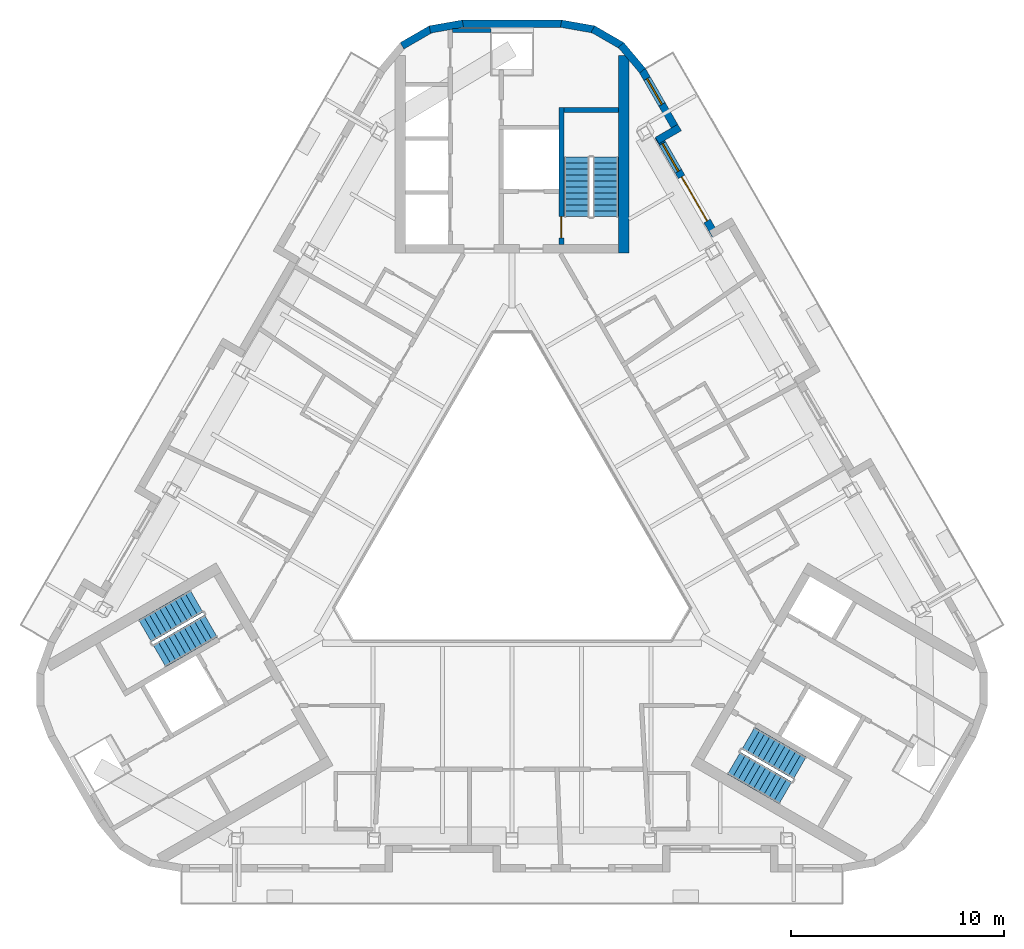
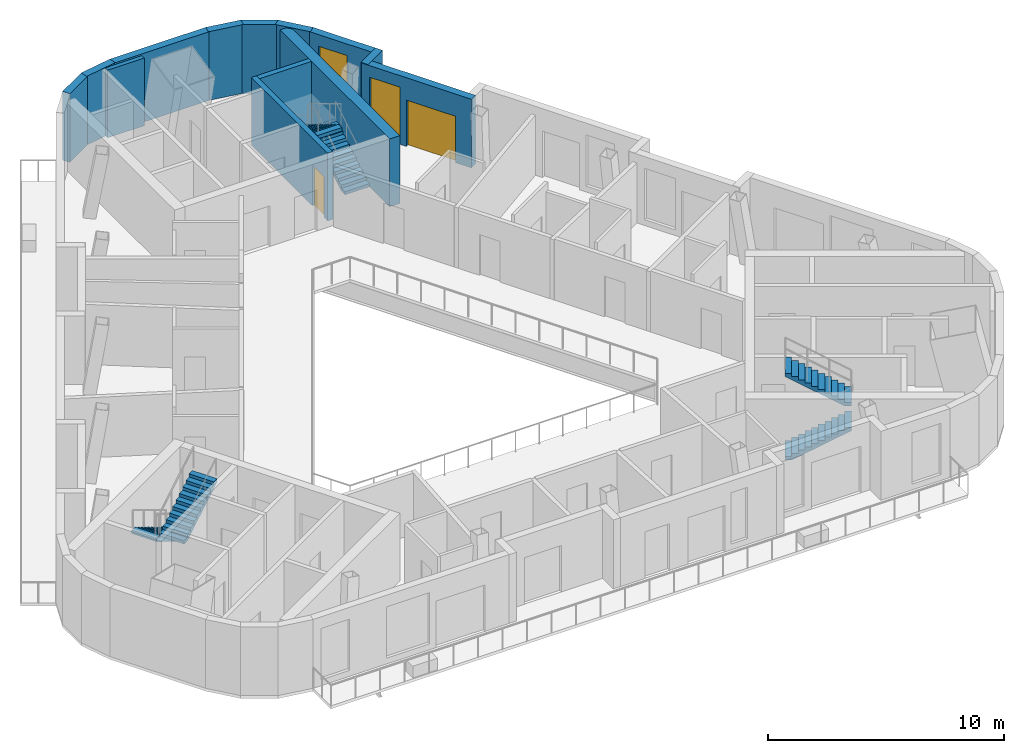
# One storey, part 7 of 11: 13 walls, 6 stair flights, 2 doors, 2 windows, 4 openings, 3 elements without a shape of their own.
"""IFC4 building model written with IfcOpenShell, lengths in metres."""

from ifc_helpers import new_model, si_unit, direction, frame, frame_2d, origin, place, context, subcontext, project, spatial, polyline, rectangle, outline, extrude, material, layer, layer_set, type_object, element, fill, aggregate, save


model = new_model("IFC4")

# Units and contexts
model_context = context("Model", 3, precision=1e-05, world=origin(), true_north=direction((0.0, 1.0)))
body_context = subcontext(model_context, "Body", "Model", "MODEL_VIEW")
ifc_project = project(units=[si_unit("LENGTHUNIT", "METRE"), si_unit("AREAUNIT", "SQUARE_METRE"), si_unit("VOLUMEUNIT", "CUBIC_METRE"), si_unit("PLANEANGLEUNIT", "RADIAN"), si_unit("MASSUNIT", "GRAM", prefix="KILO")], contexts=[model_context])

# Site, building, storey
site_placement = place(None, origin())
site = spatial("IfcSite", under=ifc_project, at=site_placement, CompositionType="ELEMENT")
building_placement = place(site_placement, origin())
building = spatial("IfcBuilding", under=site, at=building_placement, Name="Apuvela Tower Hotel", CompositionType="ELEMENT")
storey_placement = place(building_placement, frame((0.0, 0.0, 320.699951171875)))
storey = spatial("IfcBuildingStorey", under=building, at=storey_placement, Name="L80", CompositionType="ELEMENT", Elevation=320.699951171875)

# Walls
ifc_material_1 = material(Name="Concrete C50/60", Category="concrete")
ifc_layer_1 = layer(ifc_material_1, 0.5)
ifc_layer_set_1 = layer_set([ifc_layer_1], Name="COR-WALL-CORE-500")
wall_type_1 = type_object("IfcWallType", Name="COR-WALL-CORE-500", PredefinedType="SHEAR", material=ifc_layer_set_1)
wall_1_placement = place(storey_placement, frame((5.25, 12.89990234375, 0.0), z_axis=(0.0, 0.0, 1.0), x_axis=(0.0, 1.0, 0.0)))
element("IfcWall", 1, at=wall_1_placement, inside=storey, type_object=wall_type_1, Name="Core wall N", PredefinedType="SHEAR", context=body_context, shape_type="SweptSolid", body=[
    extrude(rectangle(XDim=9.28271484375, YDim=0.5, at=frame_2d((4.641357421875, 0.0))), origin(), (0.0, 0.0, 1.0), 3.5),
])
ifc_layer_2 = layer(ifc_material_1, 0.199951171875)
ifc_layer_set_2 = layer_set([ifc_layer_2], Name="COR-WALL-SHAFT-200")
wall_type_2 = type_object("IfcWallType", Name="COR-WALL-SHAFT-200", PredefinedType="SHEAR", material=ifc_layer_set_2)
wall_2_placement = place(storey_placement, frame((-1.0, 23.360107421875, 0.0), z_axis=(0.0, 0.0, 1.0), x_axis=(-1.0, 0.0, 0.0)))
element("IfcWall", 2, at=wall_2_placement, inside=storey, type_object=wall_type_2, Name="Shaft wall N", PredefinedType="SHEAR", context=body_context, shape_type="SweptSolid", body=[
    extrude(rectangle(XDim=1.800048828125, YDim=0.199951171875, at=frame_2d((0.89990234375, 0.0))), origin(), (0.0, 0.0, 1.0), 3.5),
])

# Wall, opening, door
ifc_layer_3 = layer(ifc_material_1, 0.25)
ifc_layer_set_3 = layer_set([ifc_layer_3], Name="COR-WALL-STAIR-250")
wall_type_3 = type_object("IfcWallType", Name="COR-WALL-STAIR-250", PredefinedType="SHEAR", material=ifc_layer_set_3)
wall_3_placement = place(storey_placement, frame((2.324951171875, 13.300048828125, 0.0), z_axis=(0.0, 0.0, 1.0), x_axis=(0.0, 1.0, 0.0)))
wall_3 = element("IfcWall", 3, at=wall_3_placement, inside=storey, type_object=wall_type_3, Name="Stair wall N", PredefinedType="SHEAR", context=body_context, shape_type="SweptSolid", body=[
    extrude(rectangle(XDim=6.449951171875, YDim=0.25, at=frame_2d((3.22509765625, 0.0))), origin(), (0.0, 0.0, 1.0), 3.5),
])
opening_1_placement = place(wall_3_placement, frame((0.300048828125, 0.0, 0.0)))
opening_1 = element("IfcOpeningElement", 4, at=opening_1_placement, cuts=wall_3, Name="Opening N-SD", PredefinedType="OPENING", context=body_context, shape_type="SweptSolid", body=[
    extrude(rectangle(XDim=1.0, YDim=2.10009765625, at=frame_2d((0.5, 1.050048828125))), frame((0.0, 0.135009765625, 0.0), z_axis=(0.0, -1.0, 0.0), x_axis=(1.0, 0.0, 0.0)), (0.0, 0.0, 1.0), 0.27001953125),
])
ifc_material_2 = material(Name="Steel fire door, powder coated", Category="steel")
door_type_1 = type_object("IfcDoorType", Name="COR-SD-1000", OperationType="NOTDEFINED", PredefinedType="DOOR", material=ifc_material_2)
door_1_placement = place(opening_1_placement, frame((1.0, 0.0, 0.0), z_axis=(0.0, 0.0, 1.0), x_axis=(-1.0, 0.0, 0.0)))
door_1 = element("IfcDoor", 5, at=door_1_placement, inside=storey, type_object=door_type_1, Name="Stair door N-SD", OperationType="SINGLE_SWING_LEFT", OverallHeight=2.10009765625, OverallWidth=1.0, PredefinedType="DOOR", context=body_context, shape_type="SweptSolid", body=[
    extrude(rectangle(XDim=1.0, YDim=2.10009765625, at=frame_2d((0.5, 1.050048828125))), frame((0.0, 0.02490234375, 0.0), z_axis=(0.0, -1.0, 0.0), x_axis=(1.0, 0.0, 0.0)), (0.0, 0.0, 1.0), 0.050048828125),
])
fill(opening_1, door_1)

# Wall
wall_4_placement = place(storey_placement, frame((5.0, 19.625, 0.0), z_axis=(0.0, 0.0, 1.0), x_axis=(-1.0, 0.0, 0.0)))
element("IfcWall", 6, at=wall_4_placement, inside=storey, type_object=wall_type_3, Name="Stair wall N", PredefinedType="SHEAR", context=body_context, shape_type="SweptSolid", body=[
    extrude(rectangle(XDim=2.550048828125, YDim=0.25, at=frame_2d((1.27490234375, 0.0))), origin(), (0.0, 0.0, 1.0), 3.5),
])

# Wall, openings, door, window
ifc_material_3 = material(Name="Concrete C40/50, dark pigmented precast panel", Category="concrete")
ifc_layer_4 = layer(ifc_material_3, 0.35009765625)
ifc_layer_set_4 = layer_set([ifc_layer_4], Name="ENV-WALL-350")
wall_type_4 = type_object("IfcWallType", Name="ENV-WALL-350", PredefinedType="SOLIDWALL", material=ifc_layer_set_4)
wall_5_placement = place(storey_placement, frame((9.56689453125, 13.734375, 0.0), z_axis=(0.0, 0.0, 1.0), x_axis=(-0.499996591357, 0.866027371756, 0.0)))
wall_5 = element("IfcWall", 7, at=wall_5_placement, inside=storey, type_object=wall_type_4, Name="External wall L80-39", PredefinedType="SOLIDWALL", context=body_context, shape_type="SweptSolid", body=[
    extrude(rectangle(XDim=5.37060546875, YDim=0.35009765625, at=frame_2d((2.685302734375, 0.0))), origin(), (0.0, 0.0, 1.0), 3.550048828125),
])
opening_2_placement = place(wall_5_placement, frame((0.77001953125, 0.0, 0.0)))
opening_2 = element("IfcOpeningElement", 8, at=opening_2_placement, cuts=wall_5, Name="Opening BD24", PredefinedType="OPENING", context=body_context, shape_type="SweptSolid", body=[
    extrude(rectangle(XDim=2.39990234375, YDim=2.39990234375, at=frame_2d((1.199951171875, 1.199951171875))), frame((0.0, 0.18505859375, 0.0), z_axis=(0.0, -1.0, 0.0), x_axis=(1.0, 0.0, 0.0)), (0.0, 0.0, 1.0), 0.3701171875),
])
opening_3_placement = place(wall_5_placement, frame((3.469970703125, 0.0, 0.300048828125)))
opening_3 = element("IfcOpeningElement", 9, at=opening_3_placement, cuts=wall_5, Name="Opening WN15", PredefinedType="OPENING", context=body_context, shape_type="SweptSolid", body=[
    extrude(rectangle(XDim=1.5, YDim=2.64990234375, at=frame_2d((0.75, 1.324951171875))), frame((0.0, 0.18505859375, 0.0), z_axis=(0.0, -1.0, 0.0), x_axis=(1.0, 0.0, 0.0)), (0.0, 0.0, 1.0), 0.3701171875),
])
ifc_material_4 = material(Name="Aluminium 6063-T6, dark bronze anodised frame with dark tinted laminated glass", Category="aluminium")
door_type_2 = type_object("IfcDoorType", Name="ENV-DOOR-BALCONY-2400x2400", OperationType="SLIDING_TO_LEFT", PredefinedType="DOOR", material=ifc_material_4)
door_2_placement = place(opening_2_placement, frame((2.39990234375, 0.0, 0.0), z_axis=(0.0, 0.0, 1.0), x_axis=(-1.0, 0.0, 0.0)))
door_2 = element("IfcDoor", 10, at=door_2_placement, inside=storey, type_object=door_type_2, Name="Balcony door BD24", OperationType="SLIDING_TO_LEFT", OverallHeight=2.39990234375, OverallWidth=2.39990234375, PredefinedType="DOOR", context=body_context, shape_type="SweptSolid", body=[
    extrude(rectangle(XDim=2.39990234375, YDim=2.39990234375, at=frame_2d((1.199951171875, 1.199951171875))), frame((0.0, 0.02490234375, 0.0), z_axis=(0.0, -1.0, 0.0), x_axis=(1.0, 0.0, 0.0)), (0.0, 0.0, 1.0), 0.050048828125),
])
fill(opening_2, door_2)
ifc_material_5 = material(Name="Glass, dark tinted laminated insulated glazing unit", Category="glass")
window_type_1 = type_object("IfcWindowType", Name="ENV-WIN-1500x2650", PartitioningType="SINGLE_PANEL", PredefinedType="WINDOW", material=ifc_material_5)
window_1_placement = place(opening_3_placement, origin())
window_1 = element("IfcWindow", 11, at=window_1_placement, inside=storey, type_object=window_type_1, Name="Window WN15", OverallHeight=2.64990234375, OverallWidth=1.5, PartitioningType="SINGLE_PANEL", PredefinedType="WINDOW", context=body_context, shape_type="SweptSolid", body=[
    extrude(rectangle(XDim=1.5, YDim=2.64990234375, at=frame_2d((0.75, 1.324951171875))), frame((0.0, 0.030029296875, 0.0), z_axis=(0.0, -1.0, 0.0), x_axis=(1.0, 0.0, 0.0)), (0.0, 0.0, 1.0), 0.06005859375),
])
fill(opening_3, window_1)

# Wall
wall_6_placement = place(storey_placement, frame((6.82861328125, 18.1875, 0.0), z_axis=(0.0, 0.0, 1.0), x_axis=(0.866042269935, 0.499970785833, 0.0)))
element("IfcWall", 12, at=wall_6_placement, inside=storey, type_object=wall_type_4, Name="External wall L80-40", PredefinedType="SOLIDWALL", context=body_context, shape_type="SweptSolid", body=[
    extrude(rectangle(XDim=1.2197265625, YDim=0.35009765625, at=frame_2d((0.60986328125, 0.0))), origin(), (0.0, 0.0, 1.0), 3.550048828125),
])

# Wall, opening, window
wall_7_placement = place(storey_placement, frame((7.821044921875, 18.558349609375, 0.0), z_axis=(0.0, 0.0, 1.0), x_axis=(-0.500000656212, 0.86602502492, 0.0)))
wall_7 = element("IfcWall", 13, at=wall_7_placement, inside=storey, type_object=wall_type_4, Name="External wall L80-41", PredefinedType="SOLIDWALL", context=body_context, shape_type="SweptSolid", body=[
    extrude(rectangle(XDim=3.39306640625, YDim=0.35009765625, at=frame_2d((1.696533203125, 0.0))), origin(), (0.0, 0.0, 1.0), 3.550048828125),
])
opening_4_placement = place(wall_7_placement, frame((1.530517578125, 0.0, 0.300048828125)))
opening_4 = element("IfcOpeningElement", 14, at=opening_4_placement, cuts=wall_7, Name="Opening WN14", PredefinedType="OPENING", context=body_context, shape_type="SweptSolid", body=[
    extrude(rectangle(XDim=1.39990234375, YDim=2.64990234375, at=frame_2d((0.699951171875, 1.324951171875))), frame((0.0, 0.18505859375, 0.0), z_axis=(0.0, -1.0, 0.0), x_axis=(1.0, 0.0, 0.0)), (0.0, 0.0, 1.0), 0.3701171875),
])
window_type_2 = type_object("IfcWindowType", Name="ENV-WIN-1400x2650", PartitioningType="SINGLE_PANEL", PredefinedType="WINDOW", material=ifc_material_5)
window_2_placement = place(opening_4_placement, origin())
window_2 = element("IfcWindow", 15, at=window_2_placement, inside=storey, type_object=window_type_2, Name="Window WN14", OverallHeight=2.64990234375, OverallWidth=1.39990234375, PartitioningType="SINGLE_PANEL", PredefinedType="WINDOW", context=body_context, shape_type="SweptSolid", body=[
    extrude(rectangle(XDim=1.39990234375, YDim=2.64990234375, at=frame_2d((0.699951171875, 1.324951171875))), frame((0.0, 0.030029296875, 0.0), z_axis=(0.0, -1.0, 0.0), x_axis=(1.0, 0.0, 0.0)), (0.0, 0.0, 1.0), 0.06005859375),
])
fill(opening_4, window_2)

# Walls
for number, where, z_axis, x_axis, name in (
    (16, (6.14208984375, 21.4716796875, 0.0), (0.0, 0.0, 1.0), (-0.642720587594, 0.766100676336, 0.0), "External wall L80-42"),
    (17, (5.173583984375, 22.642333984375, 0.0), (0.0, 0.0, 1.0), (-0.866007919525, 0.500030282404, 0.0), "External wall L80-43"),
):
    element("IfcWall", number, at=place(storey_placement, frame(where, z_axis=z_axis, x_axis=x_axis)), inside=storey, type_object=wall_type_4, Name=name, PredefinedType="SOLIDWALL", context=body_context, shape_type="SweptSolid", body=[
        extrude(rectangle(XDim=1.5791015625, YDim=0.35009765625, at=frame_2d((0.78955078125, 0.0))), origin(), (0.0, 0.0, 1.0), 3.550048828125),
    ])
wall_8_placement = place(storey_placement, frame((3.86328125, 23.410888671875, 0.0), z_axis=(0.0, 0.0, 1.0), x_axis=(-0.98478200219, 0.173794154571, 0.0)))
element("IfcWall", 18, at=wall_8_placement, inside=storey, type_object=wall_type_4, Name="External wall L80-44", PredefinedType="SOLIDWALL", context=body_context, shape_type="SweptSolid", body=[
    extrude(rectangle(XDim=1.578857421875, YDim=0.35009765625, at=frame_2d((0.78955078125, 0.0))), origin(), (0.0, 0.0, 1.0), 3.550048828125),
])
wall_9_placement = place(storey_placement, frame((2.338623046875, 23.6826171875, 0.0), z_axis=(0.0, 0.0, 1.0), x_axis=(-1.0, 0.0, 0.0)))
element("IfcWall", 19, at=wall_9_placement, inside=storey, type_object=wall_type_4, Name="External wall L80-45", PredefinedType="SOLIDWALL", context=body_context, shape_type="SweptSolid", body=[
    extrude(rectangle(XDim=4.67724609375, YDim=0.35009765625, at=frame_2d((2.338623046875, 0.0))), origin(), (0.0, 0.0, 1.0), 3.550048828125),
])
wall_10_placement = place(storey_placement, frame((-2.308349609375, 23.685302734375, 0.0), z_axis=(0.0, 0.0, 1.0), x_axis=(-0.98478200219, -0.173794154571, 0.0)))
element("IfcWall", 20, at=wall_10_placement, inside=storey, type_object=wall_type_4, Name="External wall L80-46", PredefinedType="SOLIDWALL", context=body_context, shape_type="SweptSolid", body=[
    extrude(rectangle(XDim=1.578857421875, YDim=0.35009765625, at=frame_2d((0.78955078125, 0.0))), origin(), (0.0, 0.0, 1.0), 3.550048828125),
])
wall_11_placement = place(storey_placement, frame((-3.80615234375, 23.431884765625, 0.0), z_axis=(0.0, 0.0, 1.0), x_axis=(-0.866007919525, -0.500030282404, 0.0)))
element("IfcWall", 21, at=wall_11_placement, inside=storey, type_object=wall_type_4, Name="External wall L80-47", PredefinedType="SOLIDWALL", context=body_context, shape_type="SweptSolid", body=[
    extrude(rectangle(XDim=1.5791015625, YDim=0.35009765625, at=frame_2d((0.78955078125, 0.0))), origin(), (0.0, 0.0, 1.0), 3.550048828125),
])

# Stair, stair flights
stair_type = type_object("IfcStairType", Name="COR-STAIR-22R", PredefinedType="HALF_TURN_STAIR", material=ifc_material_1)
stair_1_placement = place(storey_placement, origin())
stair_1 = element("IfcStair", 22, at=stair_1_placement, inside=storey, type_object=stair_type, Name="L80 Exit stair ST1", PredefinedType="HALF_TURN_STAIR")
stair_flight_type = type_object("IfcStairFlightType", Name="COR-FLIGHT-11R", PredefinedType="STRAIGHT", material=ifc_material_1)
stair_flight_1_placement = place(storey_placement, frame((4.39990234375, 14.60009765625, 0.0), z_axis=(0.0, 0.0, 1.0), x_axis=(0.0, 1.0, 0.0)))
stair_flight_1 = element("IfcStairFlight", 23, at=stair_flight_1_placement, type_object=stair_flight_type, Name="ST1 flight 1", NumberOfRisers=11, NumberOfTreads=10, PredefinedType="STRAIGHT", RiserHeight=0.168181818, TreadLength=0.28, context=body_context, shape_type="SweptSolid", body=[
    extrude(outline(polyline([(0.0, 0.0), (0.0, 0.168212890625), (0.280029296875, 0.168212890625), (0.280029296875, 0.33642578125), (0.56005859375, 0.33642578125), (0.56005859375, 0.504638671875), (0.840087890625, 0.504638671875), (0.840087890625, 0.672607421875), (1.1201171875, 0.672607421875), (1.1201171875, 0.8408203125), (1.39990234375, 0.8408203125), (1.39990234375, 1.009033203125), (1.679931640625, 1.009033203125), (1.679931640625, 1.17724609375), (1.9599609375, 1.17724609375), (1.9599609375, 1.345458984375), (2.239990234375, 1.345458984375), (2.239990234375, 1.513671875), (2.52001953125, 1.513671875), (2.52001953125, 1.681884765625), (2.800048828125, 1.681884765625), (2.800048828125, 1.85009765625), (2.800048828125, 1.5068359375), (0.291015625, 0.0), (0.0, 0.0)])), frame((0.0, 0.60009765625, 0.0), z_axis=(0.0, -1.0, 0.0), x_axis=(1.0, 0.0, 0.0)), (0.0, 0.0, 1.0), 1.199951171875),
])
stair_flight_2_placement = place(storey_placement, frame((3.050048828125, 17.39990234375, 1.85009765625), z_axis=(0.0, 0.0, 1.0), x_axis=(0.0, -1.0, 0.0)))
stair_flight_2 = element("IfcStairFlight", 24, at=stair_flight_2_placement, type_object=stair_flight_type, Name="ST1 flight 2", NumberOfRisers=11, NumberOfTreads=10, PredefinedType="STRAIGHT", RiserHeight=0.168181818, TreadLength=0.28, context=body_context, shape_type="SweptSolid", body=[
    extrude(outline(polyline([(0.0, 0.0), (0.0, 0.168212890625), (0.280029296875, 0.168212890625), (0.280029296875, 0.33642578125), (0.56005859375, 0.33642578125), (0.56005859375, 0.504638671875), (0.840087890625, 0.504638671875), (0.840087890625, 0.672607421875), (1.1201171875, 0.672607421875), (1.1201171875, 0.8408203125), (1.39990234375, 0.8408203125), (1.39990234375, 1.009033203125), (1.679931640625, 1.009033203125), (1.679931640625, 1.17724609375), (1.9599609375, 1.17724609375), (1.9599609375, 1.345458984375), (2.239990234375, 1.345458984375), (2.239990234375, 1.513671875), (2.52001953125, 1.513671875), (2.52001953125, 1.681884765625), (2.800048828125, 1.681884765625), (2.800048828125, 1.85009765625), (2.800048828125, 1.5068359375), (0.291015625, 0.0), (0.0, 0.0)])), frame((0.0, 0.60009765625, 0.0), z_axis=(0.0, -1.0, 0.0), x_axis=(1.0, 0.0, 0.0)), (0.0, 0.0, 1.0), 1.199951171875),
])
aggregate(stair_1, [stair_flight_1, stair_flight_2])

stair_2_placement = place(storey_placement, origin())
stair_2 = element("IfcStair", 25, at=stair_2_placement, inside=storey, type_object=stair_type, Name="L80 Exit stair ST2", PredefinedType="HALF_TURN_STAIR")
stair_flight_3_placement = place(storey_placement, frame((-14.843994140625, -3.489501953125, 0.0), z_axis=(0.0, 0.0, 1.0), x_axis=(-0.866025403784, -0.5, 0.0)))
stair_flight_3 = element("IfcStairFlight", 26, at=stair_flight_3_placement, type_object=stair_flight_type, Name="ST2 flight 1", NumberOfRisers=11, NumberOfTreads=10, PredefinedType="STRAIGHT", RiserHeight=0.168181818, TreadLength=0.28, context=body_context, shape_type="SweptSolid", body=[
    extrude(outline(polyline([(0.0, 0.0), (0.0, 0.168212890625), (0.280029296875, 0.168212890625), (0.280029296875, 0.33642578125), (0.56005859375, 0.33642578125), (0.56005859375, 0.504638671875), (0.840087890625, 0.504638671875), (0.840087890625, 0.672607421875), (1.1201171875, 0.672607421875), (1.1201171875, 0.8408203125), (1.39990234375, 0.8408203125), (1.39990234375, 1.009033203125), (1.679931640625, 1.009033203125), (1.679931640625, 1.17724609375), (1.9599609375, 1.17724609375), (1.9599609375, 1.345458984375), (2.239990234375, 1.345458984375), (2.239990234375, 1.513671875), (2.52001953125, 1.513671875), (2.52001953125, 1.681884765625), (2.800048828125, 1.681884765625), (2.800048828125, 1.85009765625), (2.800048828125, 1.5068359375), (0.291015625, 0.0), (0.0, 0.0)])), frame((0.0, 0.60009765625, 0.0), z_axis=(0.0, -1.0, 0.0), x_axis=(1.0, 0.0, 0.0)), (0.0, 0.0, 1.0), 1.199951171875),
])
stair_flight_4_placement = place(storey_placement, frame((-16.59375, -6.05859375, 1.85009765625), z_axis=(0.0, 0.0, 1.0), x_axis=(0.866025403784, 0.5, 0.0)))
stair_flight_4 = element("IfcStairFlight", 27, at=stair_flight_4_placement, type_object=stair_flight_type, Name="ST2 flight 2", NumberOfRisers=11, NumberOfTreads=10, PredefinedType="STRAIGHT", RiserHeight=0.168181818, TreadLength=0.28, context=body_context, shape_type="SweptSolid", body=[
    extrude(outline(polyline([(0.0, 0.0), (0.0, 0.168212890625), (0.280029296875, 0.168212890625), (0.280029296875, 0.33642578125), (0.56005859375, 0.33642578125), (0.56005859375, 0.504638671875), (0.840087890625, 0.504638671875), (0.840087890625, 0.672607421875), (1.1201171875, 0.672607421875), (1.1201171875, 0.8408203125), (1.39990234375, 0.8408203125), (1.39990234375, 1.009033203125), (1.679931640625, 1.009033203125), (1.679931640625, 1.17724609375), (1.9599609375, 1.17724609375), (1.9599609375, 1.345458984375), (2.239990234375, 1.345458984375), (2.239990234375, 1.513671875), (2.52001953125, 1.513671875), (2.52001953125, 1.681884765625), (2.800048828125, 1.681884765625), (2.800048828125, 1.85009765625), (2.800048828125, 1.5068359375), (0.291015625, 0.0), (0.0, 0.0)])), frame((0.0, 0.60009765625, 0.0), z_axis=(0.0, -1.0, 0.0), x_axis=(1.0, 0.0, 0.0)), (0.0, 0.0, 1.0), 1.199951171875),
])
aggregate(stair_2, [stair_flight_3, stair_flight_4])

stair_3_placement = place(storey_placement, origin())
stair_3 = element("IfcStair", 28, at=stair_3_placement, inside=storey, type_object=stair_type, Name="L80 Exit stair ST3", PredefinedType="HALF_TURN_STAIR")
stair_flight_5_placement = place(storey_placement, frame((10.444091796875, -11.110595703125, 0.0), z_axis=(0.0, 0.0, 1.0), x_axis=(0.866025403784, -0.5, 0.0)))
stair_flight_5 = element("IfcStairFlight", 29, at=stair_flight_5_placement, type_object=stair_flight_type, Name="ST3 flight 1", NumberOfRisers=11, NumberOfTreads=10, PredefinedType="STRAIGHT", RiserHeight=0.168181818, TreadLength=0.28, context=body_context, shape_type="SweptSolid", body=[
    extrude(outline(polyline([(0.0, 0.0), (0.0, 0.168212890625), (0.280029296875, 0.168212890625), (0.280029296875, 0.33642578125), (0.56005859375, 0.33642578125), (0.56005859375, 0.504638671875), (0.840087890625, 0.504638671875), (0.840087890625, 0.672607421875), (1.1201171875, 0.672607421875), (1.1201171875, 0.8408203125), (1.39990234375, 0.8408203125), (1.39990234375, 1.009033203125), (1.679931640625, 1.009033203125), (1.679931640625, 1.17724609375), (1.9599609375, 1.17724609375), (1.9599609375, 1.345458984375), (2.239990234375, 1.345458984375), (2.239990234375, 1.513671875), (2.52001953125, 1.513671875), (2.52001953125, 1.681884765625), (2.800048828125, 1.681884765625), (2.800048828125, 1.85009765625), (2.800048828125, 1.5068359375), (0.291015625, 0.0), (0.0, 0.0)])), frame((0.0, 0.60009765625, 0.0), z_axis=(0.0, -1.0, 0.0), x_axis=(1.0, 0.0, 0.0)), (0.0, 0.0, 1.0), 1.199951171875),
])
stair_flight_6_placement = place(storey_placement, frame((13.5439453125, -11.34130859375, 1.85009765625), z_axis=(0.0, 0.0, 1.0), x_axis=(-0.866025403784, 0.5, 0.0)))
stair_flight_6 = element("IfcStairFlight", 30, at=stair_flight_6_placement, type_object=stair_flight_type, Name="ST3 flight 2", NumberOfRisers=11, NumberOfTreads=10, PredefinedType="STRAIGHT", RiserHeight=0.168181818, TreadLength=0.28, context=body_context, shape_type="SweptSolid", body=[
    extrude(outline(polyline([(0.0, 0.0), (0.0, 0.168212890625), (0.280029296875, 0.168212890625), (0.280029296875, 0.33642578125), (0.56005859375, 0.33642578125), (0.56005859375, 0.504638671875), (0.840087890625, 0.504638671875), (0.840087890625, 0.672607421875), (1.1201171875, 0.672607421875), (1.1201171875, 0.8408203125), (1.39990234375, 0.8408203125), (1.39990234375, 1.009033203125), (1.679931640625, 1.009033203125), (1.679931640625, 1.17724609375), (1.9599609375, 1.17724609375), (1.9599609375, 1.345458984375), (2.239990234375, 1.345458984375), (2.239990234375, 1.513671875), (2.52001953125, 1.513671875), (2.52001953125, 1.681884765625), (2.800048828125, 1.681884765625), (2.800048828125, 1.85009765625), (2.800048828125, 1.5068359375), (0.291015625, 0.0), (0.0, 0.0)])), frame((0.0, 0.60009765625, 0.0), z_axis=(0.0, -1.0, 0.0), x_axis=(1.0, 0.0, 0.0)), (0.0, 0.0, 1.0), 1.199951171875),
])
aggregate(stair_3, [stair_flight_5, stair_flight_6])

save(model, "model.ifc")
